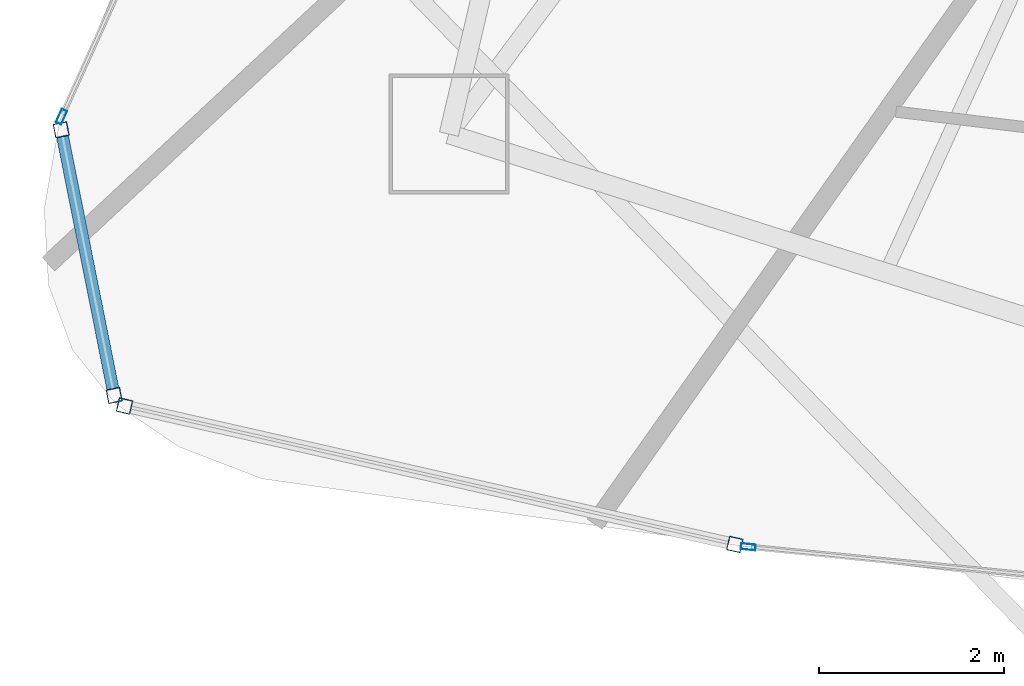
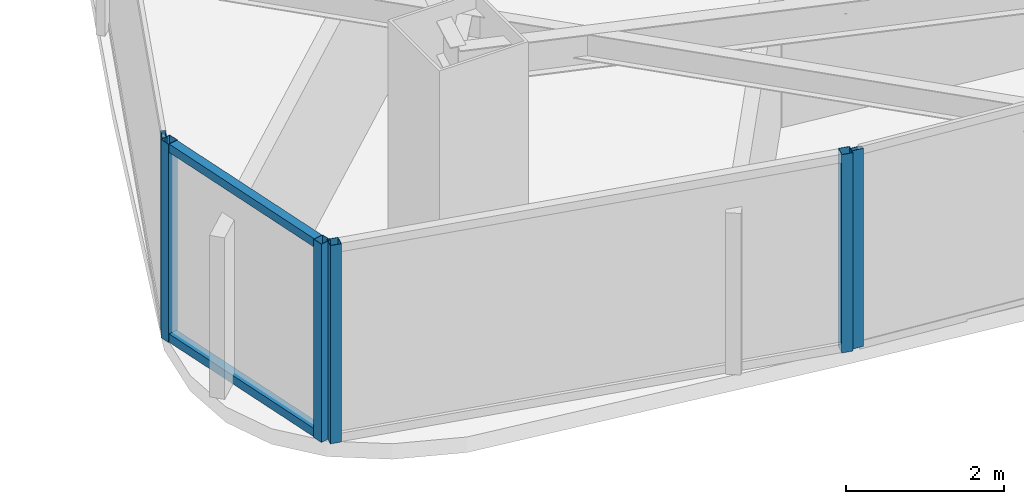
# One storey, part 2 of 32: 8 members, 4 elements without a shape of their own.
"""IFC4 building model written with IfcOpenShell, lengths in metres."""

from ifc_helpers import new_model, si_unit, direction, frame, origin, origin_2d, place, context, subcontext, project, spatial, hollow_rectangle, extrude, material, layer, layer_set, material_profile, profile_set, type_object, element, aggregate, save


model = new_model("IFC4")

# Units and contexts
model_context = context("Model", 3, precision=1e-05, world=origin(), true_north=direction((0.0, 1.0)))
body_context = subcontext(model_context, "Body", "Model", "MODEL_VIEW")
ifc_project = project(units=[si_unit("LENGTHUNIT", "METRE"), si_unit("AREAUNIT", "SQUARE_METRE"), si_unit("VOLUMEUNIT", "CUBIC_METRE"), si_unit("PLANEANGLEUNIT", "RADIAN"), si_unit("MASSUNIT", "GRAM", prefix="KILO")], contexts=[model_context])

# Site, building, storey
site_placement = place(None, origin())
site = spatial("IfcSite", under=ifc_project, at=site_placement, CompositionType="ELEMENT")
building_placement = place(site_placement, origin())
building = spatial("IfcBuilding", under=site, at=building_placement, Name="Orvanel Arch Residences", CompositionType="ELEMENT")
storey_placement = place(building_placement, frame((0.0, 0.0, 222.800048828125)))
storey = spatial("IfcBuildingStorey", under=building, at=storey_placement, Name="L63", CompositionType="ELEMENT", Elevation=222.800048828125)

# Curtain wall, members
ifc_material = material(Name="Bronze-anodised aluminium AA6063-T6", Category="aluminium")
ifc_layer_1 = layer(ifc_material, 0.18994140625)
ifc_layer_set_1 = layer_set([ifc_layer_1], Name="Bronze-anodised aluminium AA6063-T6")
curtain_wall_type_1 = type_object("IfcCurtainWallType", Name="CW5-CRN-SYS", PredefinedType="NOTDEFINED", material=ifc_layer_set_1)
curtain_wall_1_placement = place(storey_placement, origin())
curtain_wall_1 = element("IfcCurtainWall", 1, at=curtain_wall_1_placement, inside=storey, type_object=curtain_wall_type_1, Name="L63 CW5-CRN-SYS Unitised Curtain Wall", PredefinedType="NOTDEFINED")
ifc_material_profile_1 = material_profile(ifc_material, hollow_rectangle(XDim=0.14990234375, YDim=0.14990234375, WallThickness=0.0048828125, at=origin_2d()), Name="ALU150x150x5")
ifc_profile_set_1 = profile_set([ifc_material_profile_1], Name="Bronze-anodised aluminium AA6063-T6")
member_type_1 = type_object("IfcMemberType", Name="MUL-150x150", PredefinedType="MULLION", material=ifc_profile_set_1)
member_1_placement = place(storey_placement, frame((10.006591796875, 10.3974609375, 0.0), z_axis=(0.0, 0.0, 1.0), x_axis=(0.980705375633, 0.195491601364, 0.0)))
member_1 = element("IfcMember", 2, at=member_1_placement, type_object=member_type_1, Name="CW-S5 mullion 1", PredefinedType="MULLION", context=body_context, shape_type="SweptSolid", body=[
    extrude(hollow_rectangle(XDim=0.14990234375, YDim=0.14990234375, WallThickness=0.0048828125, at=origin_2d()), origin(), (0.0, 0.0, 1.0), 3.06005859375),
])
member_2_placement = place(storey_placement, frame((10.579345703125, 7.524658203125, 0.0), z_axis=(0.0, 0.0, 1.0), x_axis=(0.980705375633, 0.195491601364, 0.0)))
member_2 = element("IfcMember", 3, at=member_2_placement, type_object=member_type_1, Name="CW-S5 mullion 2", PredefinedType="MULLION", context=body_context, shape_type="SweptSolid", body=[
    extrude(hollow_rectangle(XDim=0.14990234375, YDim=0.14990234375, WallThickness=0.0048828125, at=origin_2d()), origin(), (0.0, 0.0, 1.0), 3.06005859375),
])

curtain_wall_2_placement = place(storey_placement, origin())
curtain_wall_2 = element("IfcCurtainWall", 4, at=curtain_wall_2_placement, inside=storey, type_object=curtain_wall_type_1, Name="L63 CW5-CRN-SYS Unitised Curtain Wall", PredefinedType="NOTDEFINED")
member_3_placement = place(storey_placement, frame((10.691162109375, 7.410400390625, 0.0), z_axis=(0.0, 0.0, 1.0), x_axis=(0.221183695553, 0.975232163549, 0.0)))
member_3 = element("IfcMember", 5, at=member_3_placement, type_object=member_type_1, Name="CW-S5 mullion 1", PredefinedType="MULLION", context=body_context, shape_type="SweptSolid", body=[
    extrude(hollow_rectangle(XDim=0.14990234375, YDim=0.14990234375, WallThickness=0.0048828125, at=origin_2d()), origin(), (0.0, 0.0, 1.0), 3.06005859375),
])
member_4_placement = place(storey_placement, frame((17.290771484375, 5.91357421875, 0.0), z_axis=(0.0, 0.0, 1.0), x_axis=(0.221183695553, 0.975232163549, 0.0)))
member_4 = element("IfcMember", 6, at=member_4_placement, type_object=member_type_1, Name="CW-S5 mullion 2", PredefinedType="MULLION", context=body_context, shape_type="SweptSolid", body=[
    extrude(hollow_rectangle(XDim=0.14990234375, YDim=0.14990234375, WallThickness=0.0048828125, at=origin_2d()), origin(), (0.0, 0.0, 1.0), 3.06005859375),
])
aggregate(curtain_wall_2, [member_3, member_4])

# Curtain wall, member
ifc_layer_2 = layer(ifc_material, 0.175048828125)
ifc_layer_set_2 = layer_set([ifc_layer_2], Name="Bronze-anodised aluminium AA6063-T6")
curtain_wall_type_2 = type_object("IfcCurtainWallType", Name="CW4-HI-SYS", PredefinedType="NOTDEFINED", material=ifc_layer_set_2)
curtain_wall_3_placement = place(storey_placement, origin())
curtain_wall_3 = element("IfcCurtainWall", 7, at=curtain_wall_3_placement, inside=storey, type_object=curtain_wall_type_2, Name="L63 CW4-HI-SYS Unitised Curtain Wall", PredefinedType="NOTDEFINED")
ifc_material_profile_2 = material_profile(ifc_material, hollow_rectangle(XDim=0.06494140625, YDim=0.159912109375, WallThickness=0.00390625, at=origin_2d()), Name="ALU160x65x4")
ifc_profile_set_2 = profile_set([ifc_material_profile_2], Name="Bronze-anodised aluminium AA6063-T6")
member_type_2 = type_object("IfcMemberType", Name="MUL-160x65", PredefinedType="MULLION", material=ifc_profile_set_2)
member_5_placement = place(storey_placement, frame((10.00927734375, 10.53857421875, 0.0), z_axis=(0.0, 0.0, 1.0), x_axis=(0.911480004164, -0.411344383709, 0.0)))
member_5 = element("IfcMember", 8, at=member_5_placement, type_object=member_type_2, Name="CW-S4 mullion 3", PredefinedType="MULLION", context=body_context, shape_type="SweptSolid", body=[
    extrude(hollow_rectangle(XDim=0.06494140625, YDim=0.159912109375, WallThickness=0.00390625, at=origin_2d()), origin(), (0.0, 0.0, 1.0), 3.06005859375),
])
aggregate(curtain_wall_3, [member_5])

curtain_wall_4_placement = place(storey_placement, origin())
curtain_wall_4 = element("IfcCurtainWall", 9, at=curtain_wall_4_placement, inside=storey, type_object=curtain_wall_type_2, Name="L63 CW4-HI-SYS Unitised Curtain Wall", PredefinedType="NOTDEFINED")
member_6_placement = place(storey_placement, frame((17.436279296875, 5.8876953125, 0.0), z_axis=(0.0, 0.0, 1.0), x_axis=(0.098838628636, 0.995103474765, 0.0)))
member_6 = element("IfcMember", 10, at=member_6_placement, type_object=member_type_2, Name="CW-S4 mullion 1", PredefinedType="MULLION", context=body_context, shape_type="SweptSolid", body=[
    extrude(hollow_rectangle(XDim=0.06494140625, YDim=0.159912109375, WallThickness=0.00390625, at=origin_2d()), origin(), (0.0, 0.0, 1.0), 3.06005859375),
])
aggregate(curtain_wall_4, [member_6])

# Member
ifc_material_profile_3 = material_profile(ifc_material, hollow_rectangle(XDim=0.1298828125, YDim=0.1298828125, WallThickness=0.00439453125, at=origin_2d()), Name="ALU130x130x4.5")
ifc_profile_set_3 = profile_set([ifc_material_profile_3], Name="Bronze-anodised aluminium AA6063-T6")
member_type_3 = type_object("IfcMemberType", Name="TRN-130x130", PredefinedType="USERDEFINED", material=ifc_profile_set_3)
member_7_placement = place(storey_placement, frame((10.021240234375, 10.323974609375, 0.06494140625), z_axis=(0.195524889739, -0.980698739416, 0.0), x_axis=(0.980698739416, 0.195524889739, 0.0)))
member_7 = element("IfcMember", 11, at=member_7_placement, type_object=member_type_3, Name="CW-S5 transom 1.1", ObjectType="TRANSOM", PredefinedType="USERDEFINED", context=body_context, shape_type="SweptSolid", body=[
    extrude(hollow_rectangle(XDim=0.1298828125, YDim=0.1298828125, WallThickness=0.00439453125, at=origin_2d()), origin(), (0.0, 0.0, 1.0), 2.779541015625),
])

member_8_placement = place(storey_placement, frame((10.021240234375, 10.323974609375, 2.994873046875), z_axis=(0.195524889739, -0.980698739416, 0.0), x_axis=(0.980698739416, 0.195524889739, 0.0)))
member_8 = element("IfcMember", 12, at=member_8_placement, type_object=member_type_3, Name="CW-S5 transom 1.2", ObjectType="TRANSOM", PredefinedType="USERDEFINED", context=body_context, shape_type="SweptSolid", body=[
    extrude(hollow_rectangle(XDim=0.1298828125, YDim=0.1298828125, WallThickness=0.00439453125, at=origin_2d()), origin(), (0.0, 0.0, 1.0), 2.779541015625),
])

aggregate(curtain_wall_1, [member_1, member_2, member_7, member_8])

save(model, "model.ifc")
